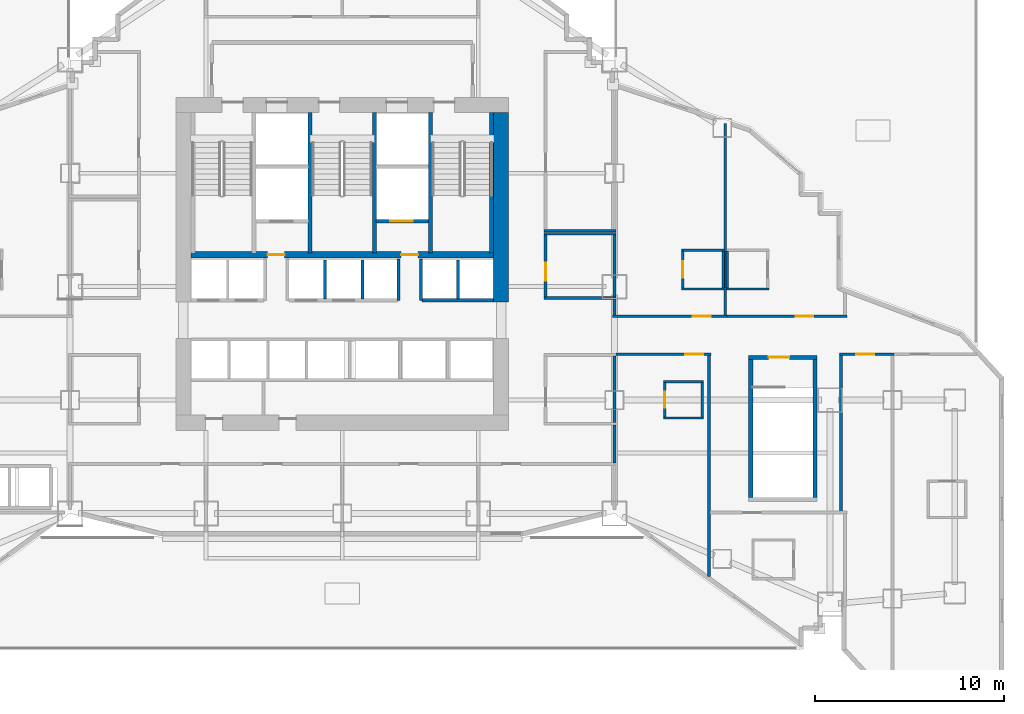
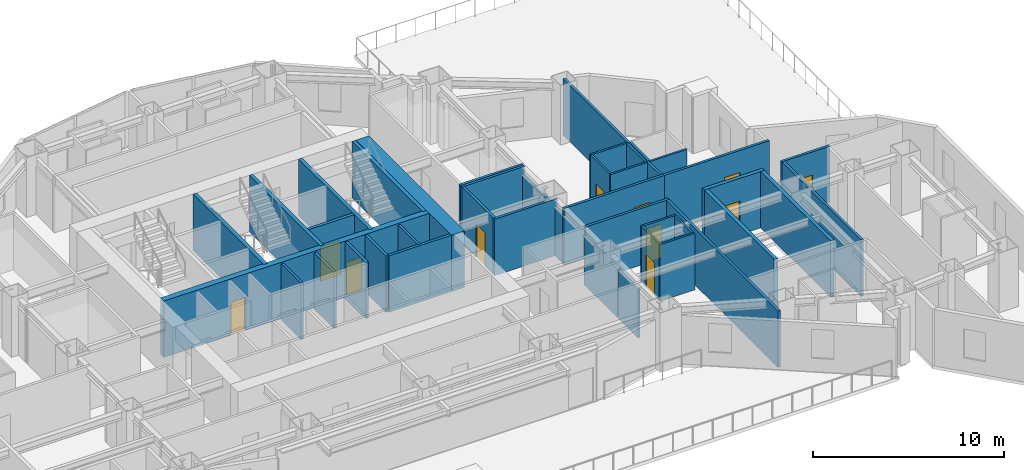
# One storey, part 10 of 20: 41 walls, 11 doors, 11 openings.
"""IFC4 building model written with IfcOpenShell, lengths in metres."""

from ifc_helpers import new_model, si_unit, direction, frame, frame_2d, origin, place, context, subcontext, project, spatial, rectangle, extrude, material, layer, layer_set, type_object, element, fill, save


model = new_model("IFC4")

# Units and contexts
model_context = context("Model", 3, precision=1e-05, world=origin(), true_north=direction((0.0, 1.0)))
body_context = subcontext(model_context, "Body", "Model", "MODEL_VIEW")
ifc_project = project(units=[si_unit("LENGTHUNIT", "METRE"), si_unit("AREAUNIT", "SQUARE_METRE"), si_unit("VOLUMEUNIT", "CUBIC_METRE"), si_unit("PLANEANGLEUNIT", "RADIAN"), si_unit("MASSUNIT", "GRAM", prefix="KILO")], contexts=[model_context])

# Site, building, storey
site_placement = place(None, origin())
site = spatial("IfcSite", under=ifc_project, at=site_placement, CompositionType="ELEMENT")
building_placement = place(site_placement, origin())
building = spatial("IfcBuilding", under=site, at=building_placement, Name="Haolan Belvedere Tower", CompositionType="ELEMENT")
storey_placement = place(building_placement, frame((0.0, 0.0, 24.0)))
storey = spatial("IfcBuildingStorey", under=building, at=storey_placement, Name="L05", CompositionType="ELEMENT", Elevation=24.0)

# Walls
ifc_material_1 = material(Name="Concrete C70/85", Category="concrete")
ifc_layer_1 = layer(ifc_material_1, 0.800048828125, Name="Concrete C70/85")
ifc_layer_set_1 = layer_set([ifc_layer_1], Name="Concrete C70/85")
wall_type_1 = type_object("IfcWallType", Name="WL-CORE-800", PredefinedType="SHEAR", material=ifc_layer_set_1)
wall_1_placement = place(storey_placement, frame((46.800048828125, 32.800048828125, 0.0), z_axis=(0.0, 0.0, 1.0), x_axis=(0.0, 1.0, 0.0)))
element("IfcWall", 1, at=wall_1_placement, inside=storey, type_object=wall_type_1, Name="L05 central core shear wall EN", PredefinedType="SHEAR", context=body_context, shape_type="SweptSolid", body=[
    extrude(rectangle(XDim=10.0, YDim=0.800048828125, at=frame_2d((5.0, 0.0))), origin(), (0.0, 0.0, 1.0), 3.60009765625),
])
ifc_material_2 = material(Name="Double gypsum acoustic stud partition", Category="masonry")
ifc_layer_2 = layer(ifc_material_2, 0.14990234375, Name="Double gypsum acoustic stud partition")
ifc_layer_set_2 = layer_set([ifc_layer_2], Name="Double gypsum acoustic stud partition")
wall_type_2 = type_object("IfcWallType", Name="WL-PART-150", PredefinedType="PARTITIONING", material=ifc_layer_set_2)
for number, where, z_axis, x_axis, name in (
    (2, (49.080078125, 36.39990234375, 0.0), (0.0, 0.0, 1.0), (1.0, 0.0, 0.0), "L05 interior partition IW-L05-AWC-N"),
    (3, (49.080078125, 33.0, 0.0), (0.0, 0.0, 1.0), (1.0, 0.0, 0.0), "L05 interior partition IW-L05-AWC-S"),
):
    element("IfcWall", number, at=place(storey_placement, frame(where, z_axis=z_axis, x_axis=x_axis)), inside=storey, type_object=wall_type_2, Name=name, PredefinedType="PARTITIONING", context=body_context, shape_type="SweptSolid", body=[
        extrude(rectangle(XDim=3.7998046875, YDim=0.14990234375, at=frame_2d((1.89990234375, 0.0))), origin(), (0.0, 0.0, 1.0), 3.60009765625),
    ])

# Wall, opening, door
wall_2_placement = place(storey_placement, frame((49.159912109375, 33.06005859375, 0.0), z_axis=(0.0, 0.0, 1.0), x_axis=(0.0, 1.0, 0.0)))
wall_2 = element("IfcWall", 4, at=wall_2_placement, inside=storey, type_object=wall_type_2, Name="L05 interior partition IW-L05-AWC-W", PredefinedType="PARTITIONING", context=body_context, shape_type="SweptSolid", body=[
    extrude(rectangle(XDim=3.280029296875, YDim=0.14990234375, at=frame_2d((1.64013671875, 0.0))), origin(), (0.0, 0.0, 1.0), 3.60009765625),
])
opening_1_placement = place(wall_2_placement, frame((0.860107421875, 0.0, 0.0)))
opening_1 = element("IfcOpeningElement", 5, at=opening_1_placement, cuts=wall_2, Name="Opening ID-03", PredefinedType="OPENING", context=body_context, shape_type="SweptSolid", body=[
    extrude(rectangle(XDim=0.949951171875, YDim=2.1201171875, at=frame_2d((0.47509765625, 1.06005859375))), frame((0.0, 0.0849609375, 0.0), z_axis=(0.0, -1.0, 0.0), x_axis=(1.0, 0.0, 0.0)), (0.0, 0.0, 1.0), 0.169921875),
])
ifc_material_3 = material(Name="Painted solid-core timber", Category="wood")
door_type_1 = type_object("IfcDoorType", Name="DR-INT-950", OperationType="NOTDEFINED", PredefinedType="DOOR", material=ifc_material_3)
door_1_placement = place(opening_1_placement, origin())
door_1 = element("IfcDoor", 6, at=door_1_placement, inside=storey, type_object=door_type_1, Name="L05 door ID-L05-AWC", OperationType="SINGLE_SWING_RIGHT", OverallHeight=2.1201171875, OverallWidth=0.949951171875, PredefinedType="DOOR", context=body_context, shape_type="SweptSolid", body=[
    extrude(rectangle(XDim=0.949951171875, YDim=2.1201171875, at=frame_2d((0.47509765625, 1.06005859375))), frame((0.0, 0.02490234375, 0.0), z_axis=(0.0, -1.0, 0.0), x_axis=(1.0, 0.0, 0.0)), (0.0, 0.0, 1.0), 0.050048828125),
])
fill(opening_1, door_1)

# Walls
wall_3_placement = place(storey_placement, frame((52.800048828125, 33.06005859375, 0.0), z_axis=(0.0, 0.0, 1.0), x_axis=(0.0, 1.0, 0.0)))
element("IfcWall", 7, at=wall_3_placement, inside=storey, type_object=wall_type_2, Name="L05 interior partition IW-L05-AWC-E", PredefinedType="PARTITIONING", context=body_context, shape_type="SweptSolid", body=[
    extrude(rectangle(XDim=3.280029296875, YDim=0.14990234375, at=frame_2d((1.64013671875, 0.0))), origin(), (0.0, 0.0, 1.0), 3.096923828125),
])
wall_4_placement = place(storey_placement, frame((49.080078125, 36.56005859375, 0.0), z_axis=(0.0, 0.0, 1.0), x_axis=(1.0, 0.0, 0.0)))
element("IfcWall", 8, at=wall_4_placement, inside=storey, type_object=wall_type_2, Name="L05 interior partition IW-L05-SAL-S", PredefinedType="PARTITIONING", context=body_context, shape_type="SweptSolid", body=[
    extrude(rectangle(XDim=3.7998046875, YDim=0.14990234375, at=frame_2d((1.89990234375, 0.0))), origin(), (0.0, 0.0, 1.0), 3.60009765625),
])
wall_5_placement = place(storey_placement, frame((52.800048828125, 26.409912109375, 0.0), z_axis=(0.0, 0.0, 1.0), x_axis=(0.0, 1.0, 0.0)))
element("IfcWall", 9, at=wall_5_placement, inside=storey, type_object=wall_type_2, Name="L05 interior partition IW-L05-PKTE-E", PredefinedType="PARTITIONING", context=body_context, shape_type="SweptSolid", body=[
    extrude(rectangle(XDim=3.510009765625, YDim=0.14990234375, at=frame_2d((1.7548828125, 0.0))), origin(), (0.0, 0.0, 1.0), 3.096923828125),
])

# Wall, opening, door
wall_6_placement = place(storey_placement, frame((52.699951171875, 32.030029296875, 0.0), z_axis=(0.0, 0.0, 1.0), x_axis=(1.0, 0.0, 0.0)))
wall_6 = element("IfcWall", 10, at=wall_6_placement, inside=storey, type_object=wall_type_2, Name="L05 interior partition IW-L05-T4N1-S", PredefinedType="PARTITIONING", context=body_context, shape_type="SweptSolid", body=[
    extrude(rectangle(XDim=6.06005859375, YDim=0.14990234375, at=frame_2d((3.030029296875, 0.0))), origin(), (0.0, 0.0, 1.0), 3.60009765625),
])
opening_2_placement = place(wall_6_placement, frame((4.25146484375, 0.0, 0.0)))
opening_2 = element("IfcOpeningElement", 11, at=opening_2_placement, cuts=wall_6, Name="Opening ID-01", PredefinedType="OPENING", context=body_context, shape_type="SweptSolid", body=[
    extrude(rectangle(XDim=0.949951171875, YDim=2.179931640625, at=frame_2d((0.47509765625, 1.08984375))), frame((0.0, 0.0849609375, 0.0), z_axis=(0.0, -1.0, 0.0), x_axis=(1.0, 0.0, 0.0)), (0.0, 0.0, 1.0), 0.169921875),
])
ifc_material_4 = material(Name="Acoustic walnut veneer fire-rated timber", Category="wood")
door_type_2 = type_object("IfcDoorType", Name="DR-SUITE-950", OperationType="NOTDEFINED", PredefinedType="DOOR", material=ifc_material_4)
door_2_placement = place(opening_2_placement, origin())
door_2 = element("IfcDoor", 12, at=door_2_placement, inside=storey, type_object=door_type_2, Name="L05 door ID-L05-T4N1-ENT", OperationType="SINGLE_SWING_LEFT", OverallHeight=2.179931640625, OverallWidth=0.949951171875, PredefinedType="DOOR", context=body_context, shape_type="SweptSolid", body=[
    extrude(rectangle(XDim=0.949951171875, YDim=2.179931640625, at=frame_2d((0.47509765625, 1.08984375))), frame((0.0, 0.02490234375, 0.0), z_axis=(0.0, -1.0, 0.0), x_axis=(1.0, 0.0, 0.0)), (0.0, 0.0, 1.0), 0.050048828125),
])
fill(opening_2, door_2)

# Walls
wall_7_placement = place(storey_placement, frame((52.800048828125, 32.090087890625, 0.0), z_axis=(0.0, 0.0, 1.0), x_axis=(0.0, 1.0, 0.0)))
element("IfcWall", 13, at=wall_7_placement, inside=storey, type_object=wall_type_2, Name="L05 interior partition IW-L05-T4N1-W", PredefinedType="PARTITIONING", context=body_context, shape_type="SweptSolid", body=[
    extrude(rectangle(XDim=0.849853515625, YDim=0.14990234375, at=frame_2d((0.4248046875, 0.0))), origin(), (0.0, 0.0, 1.0), 3.096923828125),
])
wall_8_placement = place(storey_placement, frame((58.659912109375, 32.090087890625, 0.0), z_axis=(0.0, 0.0, 1.0), x_axis=(0.0, 1.0, 0.0)))
element("IfcWall", 14, at=wall_8_placement, inside=storey, type_object=wall_type_2, Name="L05 interior partition IW-L05-T4N1-E", PredefinedType="PARTITIONING", context=body_context, shape_type="SweptSolid", body=[
    extrude(rectangle(XDim=10.133056640625, YDim=0.14990234375, at=frame_2d((5.06640625, 0.0))), origin(), (0.0, 0.0, 1.0), 3.60009765625),
])

# Wall, opening, door
wall_9_placement = place(storey_placement, frame((58.761962890625, 32.030029296875, 0.0), z_axis=(0.0, 0.0, 1.0), x_axis=(1.0, 0.0, 0.0)))
wall_9 = element("IfcWall", 15, at=wall_9_placement, inside=storey, type_object=wall_type_2, Name="L05 interior partition IW-L05-T4N2-S", PredefinedType="PARTITIONING", context=body_context, shape_type="SweptSolid", body=[
    extrude(rectangle(XDim=6.338134765625, YDim=0.14990234375, at=frame_2d((3.1689453125, 0.0))), origin(), (0.0, 0.0, 1.0), 3.60009765625),
])
opening_3_placement = place(wall_9_placement, frame((3.6162109375, 0.0, 0.0)))
opening_3 = element("IfcOpeningElement", 16, at=opening_3_placement, cuts=wall_9, Name="Opening ID-01", PredefinedType="OPENING", context=body_context, shape_type="SweptSolid", body=[
    extrude(rectangle(XDim=0.949951171875, YDim=2.179931640625, at=frame_2d((0.47509765625, 1.08984375))), frame((0.0, 0.0849609375, 0.0), z_axis=(0.0, -1.0, 0.0), x_axis=(1.0, 0.0, 0.0)), (0.0, 0.0, 1.0), 0.169921875),
])
door_3_placement = place(opening_3_placement, origin())
door_3 = element("IfcDoor", 17, at=door_3_placement, inside=storey, type_object=door_type_2, Name="L05 door ID-L05-T4N2-ENT", OperationType="SINGLE_SWING_RIGHT", OverallHeight=2.179931640625, OverallWidth=0.949951171875, PredefinedType="DOOR", context=body_context, shape_type="SweptSolid", body=[
    extrude(rectangle(XDim=0.949951171875, YDim=2.179931640625, at=frame_2d((0.47509765625, 1.08984375))), frame((0.0, 0.02490234375, 0.0), z_axis=(0.0, -1.0, 0.0), x_axis=(1.0, 0.0, 0.0)), (0.0, 0.0, 1.0), 0.050048828125),
])
fill(opening_3, door_3)

wall_10_placement = place(storey_placement, frame((52.882080078125, 30.02001953125, 0.0), z_axis=(0.0, 0.0, 1.0), x_axis=(1.0, 0.0, 0.0)))
wall_10 = element("IfcWall", 18, at=wall_10_placement, inside=storey, type_object=wall_type_2, Name="L05 interior partition IW-L05-T4S1-N", PredefinedType="PARTITIONING", context=body_context, shape_type="SweptSolid", body=[
    extrude(rectangle(XDim=5.017822265625, YDim=0.14990234375, at=frame_2d((2.5087890625, 0.0))), origin(), (0.0, 0.0, 1.0), 3.60009765625),
])
opening_4_placement = place(wall_10_placement, frame((4.609130859375, 0.0, 0.0), z_axis=(0.0, 0.0, 1.0), x_axis=(-1.0, 0.0, 0.0)))
opening_4 = element("IfcOpeningElement", 19, at=opening_4_placement, cuts=wall_10, Name="Opening ID-02", PredefinedType="OPENING", context=body_context, shape_type="SweptSolid", body=[
    extrude(rectangle(XDim=0.949951171875, YDim=2.14990234375, at=frame_2d((0.47509765625, 1.074951171875))), frame((0.0, 0.0849609375, 0.0), z_axis=(0.0, -1.0, 0.0), x_axis=(1.0, 0.0, 0.0)), (0.0, 0.0, 1.0), 0.169921875),
])
ifc_material_5 = material(Name="Acoustic oak veneer fire-rated timber", Category="wood")
door_type_3 = type_object("IfcDoorType", Name="DR-GUEST-950", OperationType="NOTDEFINED", PredefinedType="DOOR", material=ifc_material_5)
door_4_placement = place(opening_4_placement, origin())
door_4 = element("IfcDoor", 20, at=door_4_placement, inside=storey, type_object=door_type_3, Name="L05 door ID-L05-T4S1-ENT", OperationType="SINGLE_SWING_LEFT", OverallHeight=2.14990234375, OverallWidth=0.949951171875, PredefinedType="DOOR", context=body_context, shape_type="SweptSolid", body=[
    extrude(rectangle(XDim=0.949951171875, YDim=2.14990234375, at=frame_2d((0.47509765625, 1.074951171875))), frame((0.0, 0.02490234375, 0.0), z_axis=(0.0, -1.0, 0.0), x_axis=(1.0, 0.0, 0.0)), (0.0, 0.0, 1.0), 0.050048828125),
])
fill(opening_4, door_4)

# Walls
wall_11_placement = place(storey_placement, frame((52.800048828125, 24.280029296875, 0.0), z_axis=(0.0, 0.0, 1.0), x_axis=(0.0, 1.0, 0.0)))
element("IfcWall", 21, at=wall_11_placement, inside=storey, type_object=wall_type_2, Name="L05 interior partition IW-L05-T4S1-W", PredefinedType="PARTITIONING", context=body_context, shape_type="SweptSolid", body=[
    extrude(rectangle(XDim=2.010009765625, YDim=0.14990234375, at=frame_2d((1.0048828125, 0.0))), origin(), (0.0, 0.0, 1.0), 3.096923828125),
])
wall_12_placement = place(storey_placement, frame((57.800048828125, 18.27734375, 0.0), z_axis=(0.0, 0.0, 1.0), x_axis=(0.0, 1.0, 0.0)))
element("IfcWall", 22, at=wall_12_placement, inside=storey, type_object=wall_type_2, Name="L05 interior partition IW-L05-T4S1-E", PredefinedType="PARTITIONING", context=body_context, shape_type="SweptSolid", body=[
    extrude(rectangle(XDim=11.6826171875, YDim=0.14990234375, at=frame_2d((5.84130859375, 0.0))), origin(), (0.0, 0.0, 1.0), 3.60009765625),
])

# Wall, opening, door
wall_13_placement = place(storey_placement, frame((64.699951171875, 30.02001953125, 0.0), z_axis=(0.0, 0.0, 1.0), x_axis=(1.0, 0.0, 0.0)))
wall_13 = element("IfcWall", 23, at=wall_13_placement, inside=storey, type_object=wall_type_2, Name="L05 interior partition IW-L05-T5S1-N", PredefinedType="PARTITIONING", context=body_context, shape_type="SweptSolid", body=[
    extrude(rectangle(XDim=2.880126953125, YDim=0.14990234375, at=frame_2d((1.43994140625, 0.0))), origin(), (0.0, 0.0, 1.0), 3.60009765625),
])
opening_5_placement = place(wall_13_placement, frame((1.8349609375, 0.0, 0.0), z_axis=(0.0, 0.0, 1.0), x_axis=(-1.0, 0.0, 0.0)))
opening_5 = element("IfcOpeningElement", 24, at=opening_5_placement, cuts=wall_13, Name="Opening ID-03", PredefinedType="OPENING", context=body_context, shape_type="SweptSolid", body=[
    extrude(rectangle(XDim=0.949951171875, YDim=2.1201171875, at=frame_2d((0.47509765625, 1.06005859375))), frame((0.0, 0.0849609375, 0.0), z_axis=(0.0, -1.0, 0.0), x_axis=(1.0, 0.0, 0.0)), (0.0, 0.0, 1.0), 0.169921875),
])
door_5_placement = place(opening_5_placement, origin())
door_5 = element("IfcDoor", 25, at=door_5_placement, inside=storey, type_object=door_type_1, Name="L05 door ID-L05-T5S1", OperationType="SINGLE_SWING_RIGHT", OverallHeight=2.1201171875, OverallWidth=0.949951171875, PredefinedType="DOOR", context=body_context, shape_type="SweptSolid", body=[
    extrude(rectangle(XDim=0.949951171875, YDim=2.1201171875, at=frame_2d((0.47509765625, 1.06005859375))), frame((0.0, 0.02490234375, 0.0), z_axis=(0.0, -1.0, 0.0), x_axis=(1.0, 0.0, 0.0)), (0.0, 0.0, 1.0), 0.050048828125),
])
fill(opening_5, door_5)

# Walls
wall_14_placement = place(storey_placement, frame((64.780029296875, 21.7099609375, 0.0), z_axis=(0.0, 0.0, 1.0), x_axis=(0.0, 1.0, 0.0)))
element("IfcWall", 26, at=wall_14_placement, inside=storey, type_object=wall_type_2, Name="L05 interior partition IW-L05-T5S1-W", PredefinedType="PARTITIONING", context=body_context, shape_type="SweptSolid", body=[
    extrude(rectangle(XDim=8.25, YDim=0.14990234375, at=frame_2d((4.125, 0.0))), origin(), (0.0, 0.0, 1.0), 3.60009765625),
])
ifc_material_6 = material(Name="Gypsum fire shaftwall assembly", Category="masonry")
ifc_layer_3 = layer(ifc_material_6, 0.1650390625, Name="Gypsum fire shaftwall assembly")
ifc_layer_set_3 = layer_set([ifc_layer_3], Name="Gypsum fire shaftwall assembly")
wall_type_3 = type_object("IfcWallType", Name="WL-SHAFT-160", PredefinedType="SOLIDWALL", material=ifc_layer_set_3)
for number, where, z_axis, x_axis, name in (
    (27, (41.3701171875, 32.8798828125, 0.0), (0.0, 0.0, 1.0), (0.0, 1.0, 0.0), "L05 interior partition IW-L05-SVP-W-SV2"),
    (28, (42.570068359375, 32.8798828125, 0.0), (0.0, 0.0, 1.0), (0.0, 1.0, 0.0), "L05 interior partition IW-L05-SVP-E-SV2"),
):
    element("IfcWall", number, at=place(storey_placement, frame(where, z_axis=z_axis, x_axis=x_axis)), inside=storey, type_object=wall_type_3, Name=name, PredefinedType="SOLIDWALL", context=body_context, shape_type="SweptSolid", body=[
        extrude(rectangle(XDim=2.170166015625, YDim=0.14990234375, at=frame_2d((1.0849609375, 0.0))), origin(), (0.0, 0.0, 1.0), 3.60009765625),
    ])
wall_15_placement = place(storey_placement, frame((42.6298828125, 32.8798828125, 0.0), z_axis=(0.0, 0.0, 1.0), x_axis=(1.0, 0.0, 0.0)))
element("IfcWall", 29, at=wall_15_placement, inside=storey, type_object=wall_type_3, Name="L05 interior partition IW-L05-ROW-PN3", PredefinedType="SOLIDWALL", context=body_context, shape_type="SweptSolid", body=[
    extrude(rectangle(XDim=3.77001953125, YDim=0.159912109375, at=frame_2d((1.885009765625, 0.0))), origin(), (0.0, 0.0, 1.0), 3.60009765625),
])
for number, where, z_axis, x_axis, name in (
    (30, (37.47998046875, 32.949951171875, 0.0), (0.0, 0.0, 1.0), (0.0, 1.0, 0.0), "L05 interior partition IW-L05-DIV-PL3"),
    (31, (39.469970703125, 32.949951171875, 0.0), (0.0, 0.0, 1.0), (0.0, 1.0, 0.0), "L05 interior partition IW-L05-DIV-PL4"),
    (32, (44.530029296875, 32.949951171875, 0.0), (0.0, 0.0, 1.0), (0.0, 1.0, 0.0), "L05 interior partition IW-L05-DIV-PH2"),
):
    element("IfcWall", number, at=place(storey_placement, frame(where, z_axis=z_axis, x_axis=x_axis)), inside=storey, type_object=wall_type_3, Name=name, PredefinedType="SOLIDWALL", context=body_context, shape_type="SweptSolid", body=[
        extrude(rectangle(XDim=2.050048828125, YDim=0.14990234375, at=frame_2d((1.02490234375, 0.0))), origin(), (0.0, 0.0, 1.0), 3.60009765625),
    ])

# Wall, opening, door
ifc_material_7 = material(Name="Precast concrete C40/50", Category="concrete")
ifc_layer_4 = layer(ifc_material_7, 0.179931640625, Name="Precast concrete C40/50")
ifc_layer_set_4 = layer_set([ifc_layer_4], Name="Precast concrete C40/50")
wall_type_4 = type_object("IfcWallType", Name="WL-SHAFT-180", PredefinedType="SOLIDWALL", material=ifc_layer_set_4)
wall_16_placement = place(storey_placement, frame((40.195068359375, 37.050048828125, 0.0), z_axis=(0.0, 0.0, 1.0), x_axis=(1.0, 0.0, 0.0)))
wall_16 = element("IfcWall", 33, at=wall_16_placement, inside=storey, type_object=wall_type_4, Name="L05 interior partition IW-L05-SV2-S", PredefinedType="SOLIDWALL", context=body_context, shape_type="SweptSolid", body=[
    extrude(rectangle(XDim=2.77001953125, YDim=0.179931640625, at=frame_2d((1.385009765625, 0.0))), origin(), (0.0, 0.0, 1.0), 3.60009765625),
])
opening_6_placement = place(wall_16_placement, frame((1.945068359375, 0.0, 0.0), z_axis=(0.0, 0.0, 1.0), x_axis=(-1.0, 0.0, 0.0)))
opening_6 = element("IfcOpeningElement", 34, at=opening_6_placement, cuts=wall_16, Name="Opening LD-02", PredefinedType="OPENING", context=body_context, shape_type="SweptSolid", body=[
    extrude(rectangle(XDim=1.199951171875, YDim=2.199951171875, at=frame_2d((0.60009765625, 1.10009765625))), frame((0.0, 0.099853515625, 0.0), z_axis=(0.0, -1.0, 0.0), x_axis=(1.0, 0.0, 0.0)), (0.0, 0.0, 1.0), 0.199951171875),
])
ifc_material_8 = material(Name="Brushed champagne stainless steel 316L", Category="steel")
door_type_4 = type_object("IfcDoorType", Name="DR-LIFT-1200", OperationType="SLIDING_TO_RIGHT", PredefinedType="DOOR", material=ifc_material_8)
door_6_placement = place(opening_6_placement, origin())
door_6 = element("IfcDoor", 35, at=door_6_placement, inside=storey, type_object=door_type_4, Name="L05 door ID-L05-LD-SV2", OperationType="SLIDING_TO_RIGHT", OverallHeight=2.199951171875, OverallWidth=1.199951171875, PredefinedType="DOOR", context=body_context, shape_type="SweptSolid", body=[
    extrude(rectangle(XDim=1.199951171875, YDim=2.199951171875, at=frame_2d((0.60009765625, 1.10009765625))), frame((0.0, 0.02490234375, 0.0), z_axis=(0.0, -1.0, 0.0), x_axis=(1.0, 0.0, 0.0)), (0.0, 0.0, 1.0), 0.050048828125),
])
fill(opening_6, door_6)

# Walls
ifc_material_9 = material(Name="Concrete C50/60", Category="concrete")
ifc_layer_5 = layer(ifc_material_9, 0.219970703125, Name="Concrete C50/60")
ifc_layer_set_5 = layer_set([ifc_layer_5], Name="Concrete C50/60")
wall_type_5 = type_object("IfcWallType", Name="WL-STAIR-220", PredefinedType="SHEAR", material=ifc_layer_set_5)
for number, where, z_axis, x_axis, name in (
    (36, (36.699951171875, 35.389892578125, 0.0), (0.0, 0.0, 1.0), (0.0, 1.0, 0.0), "L05 structural stair core wall ST3W"),
    (37, (40.10009765625, 35.389892578125, 0.0), (0.0, 0.0, 1.0), (0.0, 1.0, 0.0), "L05 structural stair core wall ST3E"),
    (38, (43.06005859375, 35.389892578125, 0.0), (0.0, 0.0, 1.0), (0.0, 1.0, 0.0), "L05 structural stair core wall ST2W"),
    (39, (46.2880859375, 35.389892578125, 0.0), (0.0, 0.0, 1.0), (0.0, 1.0, 0.0), "L05 structural stair core wall ST2E"),
):
    element("IfcWall", number, at=place(storey_placement, frame(where, z_axis=z_axis, x_axis=x_axis)), inside=storey, type_object=wall_type_5, Name=name, PredefinedType="SHEAR", context=body_context, shape_type="SweptSolid", body=[
        extrude(rectangle(XDim=7.41015625, YDim=0.219970703125, at=frame_2d((3.705078125, 0.0))), origin(), (0.0, 0.0, 1.0), 3.60009765625),
    ])

# Wall, opening, door
wall_17_placement = place(storey_placement, frame((59.89990234375, 29.860107421875, 0.0), z_axis=(0.0, 0.0, 1.0), x_axis=(1.0, 0.0, 0.0)))
wall_17 = element("IfcWall", 40, at=wall_17_placement, inside=storey, type_object=wall_type_5, Name="L05 podium stair ST5 structural shaft wall N", PredefinedType="SHEAR", context=body_context, shape_type="SweptSolid", body=[
    extrude(rectangle(XDim=3.6201171875, YDim=0.219970703125, at=frame_2d((1.81005859375, 0.0))), origin(), (0.0, 0.0, 1.0), 3.60009765625),
])
opening_7_placement = place(wall_17_placement, frame((1.050048828125, 0.0, 0.0)))
opening_7 = element("IfcOpeningElement", 41, at=opening_7_placement, cuts=wall_17, Name="Opening FD-03", PredefinedType="OPENING", context=body_context, shape_type="SweptSolid", body=[
    extrude(rectangle(XDim=1.10009765625, YDim=2.14990234375, at=frame_2d((0.550048828125, 1.074951171875))), frame((0.0, 0.119873046875, 0.0), z_axis=(0.0, -1.0, 0.0), x_axis=(1.0, 0.0, 0.0)), (0.0, 0.0, 1.0), 0.239990234375),
])
ifc_material_10 = material(Name="Galvanised fire-rated steel", Category="steel")
door_type_5 = type_object("IfcDoorType", Name="DR-FD90-1100", OperationType="NOTDEFINED", PredefinedType="DOOR", material=ifc_material_10)
door_7_placement = place(opening_7_placement, origin())
door_7 = element("IfcDoor", 42, at=door_7_placement, inside=storey, type_object=door_type_5, Name="L05 door ID-L05-D-ST5", OperationType="SINGLE_SWING_RIGHT", OverallHeight=2.14990234375, OverallWidth=1.10009765625, PredefinedType="DOOR", context=body_context, shape_type="SweptSolid", body=[
    extrude(rectangle(XDim=1.10009765625, YDim=2.14990234375, at=frame_2d((0.550048828125, 1.074951171875))), frame((0.0, 0.02490234375, 0.0), z_axis=(0.0, -1.0, 0.0), x_axis=(1.0, 0.0, 0.0)), (0.0, 0.0, 1.0), 0.050048828125),
])
fill(opening_7, door_7)

# Walls
for number, where, z_axis, x_axis, name in (
    (43, (60.010009765625, 22.449951171875, 0.0), (0.0, 0.0, 1.0), (0.0, 1.0, 0.0), "L05 podium stair ST5 structural shaft wall W"),
    (44, (63.409912109375, 22.449951171875, 0.0), (0.0, 0.0, 1.0), (0.0, 1.0, 0.0), "L05 podium stair ST5 structural shaft wall E"),
):
    element("IfcWall", number, at=place(storey_placement, frame(where, z_axis=z_axis, x_axis=x_axis)), inside=storey, type_object=wall_type_5, Name=name, PredefinedType="SHEAR", context=body_context, shape_type="SweptSolid", body=[
        extrude(rectangle(XDim=7.300048828125, YDim=0.219970703125, at=frame_2d((3.64990234375, 0.0))), origin(), (0.0, 0.0, 1.0), 3.60009765625),
    ])

# Wall, openings, doors
ifc_material_11 = material(Name="Concrete C60/75", Category="concrete")
ifc_layer_6 = layer(ifc_material_11, 0.360107421875, Name="Concrete C60/75")
ifc_layer_set_6 = layer_set([ifc_layer_6], Name="Concrete C60/75")
wall_type_6 = type_object("IfcWallType", Name="WL-WEB-350", PredefinedType="SHEAR", material=ifc_layer_set_6)
wall_18_placement = place(storey_placement, frame((30.39990234375, 35.2900390625, 0.0), z_axis=(0.0, 0.0, 1.0), x_axis=(1.0, 0.0, 0.0)))
wall_18 = element("IfcWall", 45, at=wall_18_placement, inside=storey, type_object=wall_type_6, Name="L05 central core internal shear web", PredefinedType="SHEAR", context=body_context, shape_type="SweptSolid", body=[
    extrude(rectangle(XDim=16.0, YDim=0.360107421875, at=frame_2d((8.0, 0.0))), origin(), (0.0, 0.0, 1.0), 3.60009765625),
])
opening_8_placement = place(wall_18_placement, frame((4.949951171875, 0.0, 0.0), z_axis=(0.0, 0.0, 1.0), x_axis=(-1.0, 0.0, 0.0)))
opening_8 = element("IfcOpeningElement", 46, at=opening_8_placement, cuts=wall_18, Name="Opening FD-05", PredefinedType="OPENING", context=body_context, shape_type="SweptSolid", body=[
    extrude(rectangle(XDim=0.89990234375, YDim=2.10009765625, at=frame_2d((0.449951171875, 1.050048828125))), frame((0.0, 0.18994140625, 0.0), z_axis=(0.0, -1.0, 0.0), x_axis=(1.0, 0.0, 0.0)), (0.0, 0.0, 1.0), 0.380126953125),
])
opening_9_placement = place(wall_18_placement, frame((12.010009765625, 0.0, 0.0), z_axis=(0.0, 0.0, 1.0), x_axis=(-1.0, 0.0, 0.0)))
opening_9 = element("IfcOpeningElement", 47, at=opening_9_placement, cuts=wall_18, Name="Opening FD-05", PredefinedType="OPENING", context=body_context, shape_type="SweptSolid", body=[
    extrude(rectangle(XDim=0.89990234375, YDim=2.10009765625, at=frame_2d((0.449951171875, 1.050048828125))), frame((0.0, 0.18994140625, 0.0), z_axis=(0.0, -1.0, 0.0), x_axis=(1.0, 0.0, 0.0)), (0.0, 0.0, 1.0), 0.380126953125),
])
door_type_6 = type_object("IfcDoorType", Name="DR-FD60-900", OperationType="NOTDEFINED", PredefinedType="DOOR", material=ifc_material_10)
door_8_placement = place(opening_8_placement, origin())
door_8 = element("IfcDoor", 48, at=door_8_placement, inside=storey, type_object=door_type_6, Name="L05 door CD-L05-SVL-SV1", OperationType="SINGLE_SWING_RIGHT", OverallHeight=2.10009765625, OverallWidth=0.89990234375, PredefinedType="DOOR", context=body_context, shape_type="SweptSolid", body=[
    extrude(rectangle(XDim=0.89990234375, YDim=2.10009765625, at=frame_2d((0.449951171875, 1.050048828125))), frame((0.0, 0.02490234375, 0.0), z_axis=(0.0, -1.0, 0.0), x_axis=(1.0, 0.0, 0.0)), (0.0, 0.0, 1.0), 0.050048828125),
])
fill(opening_8, door_8)
door_9_placement = place(opening_9_placement, origin())
door_9 = element("IfcDoor", 49, at=door_9_placement, inside=storey, type_object=door_type_6, Name="L05 door CD-L05-SVL-SV2", OperationType="SINGLE_SWING_RIGHT", OverallHeight=2.10009765625, OverallWidth=0.89990234375, PredefinedType="DOOR", context=body_context, shape_type="SweptSolid", body=[
    extrude(rectangle(XDim=0.89990234375, YDim=2.10009765625, at=frame_2d((0.449951171875, 1.050048828125))), frame((0.0, 0.02490234375, 0.0), z_axis=(0.0, -1.0, 0.0), x_axis=(1.0, 0.0, 0.0)), (0.0, 0.0, 1.0), 0.050048828125),
])
fill(opening_9, door_9)

# Walls
ifc_material_12 = material(Name="Moisture-resistant gypsum tile partition", Category="masonry")
ifc_layer_7 = layer(ifc_material_12, 0.1201171875, Name="Moisture-resistant gypsum tile partition")
ifc_layer_set_7 = layer_set([ifc_layer_7], Name="Moisture-resistant gypsum tile partition")
wall_type_7 = type_object("IfcWallType", Name="WL-WET-120", PredefinedType="PARTITIONING", material=ifc_layer_set_7)
for number, where, z_axis, x_axis, name in (
    (50, (56.35009765625, 35.530029296875, 0.0), (0.0, 0.0, 1.0), (1.0, 0.0, 0.0), "L05 interior partition IW-L05-T4N1-BN"),
    (51, (56.35009765625, 33.47998046875, 0.0), (0.0, 0.0, 1.0), (1.0, 0.0, 0.0), "L05 interior partition IW-L05-T4N1-BS"),
):
    element("IfcWall", number, at=place(storey_placement, frame(where, z_axis=z_axis, x_axis=x_axis)), inside=storey, type_object=wall_type_7, Name=name, PredefinedType="PARTITIONING", context=body_context, shape_type="SweptSolid", body=[
        extrude(rectangle(XDim=2.25, YDim=0.1201171875, at=frame_2d((1.125, 0.0))), origin(), (0.0, 0.0, 1.0), 3.60009765625),
    ])

# Wall, opening, door
wall_19_placement = place(storey_placement, frame((56.409912109375, 33.52490234375, 0.0), z_axis=(0.0, 0.0, 1.0), x_axis=(0.0, 1.0, 0.0)))
wall_19 = element("IfcWall", 52, at=wall_19_placement, inside=storey, type_object=wall_type_7, Name="L05 interior partition IW-L05-T4N1-BW", PredefinedType="PARTITIONING", context=body_context, shape_type="SweptSolid", body=[
    extrude(rectangle(XDim=1.960205078125, YDim=0.1201171875, at=frame_2d((0.97998046875, 0.0))), origin(), (0.0, 0.0, 1.0), 3.60009765625),
])
opening_10_placement = place(wall_19_placement, frame((1.405029296875, 0.0, 0.0), z_axis=(0.0, 0.0, 1.0), x_axis=(-1.0, 0.0, 0.0)))
opening_10 = element("IfcOpeningElement", 53, at=opening_10_placement, cuts=wall_19, Name="Opening ID-05", PredefinedType="OPENING", context=body_context, shape_type="SweptSolid", body=[
    extrude(rectangle(XDim=0.85009765625, YDim=2.10009765625, at=frame_2d((0.425048828125, 1.050048828125))), frame((0.0, 0.070068359375, 0.0), z_axis=(0.0, -1.0, 0.0), x_axis=(1.0, 0.0, 0.0)), (0.0, 0.0, 1.0), 0.14013671875),
])
ifc_material_13 = material(Name="Moisture-resistant lacquered timber", Category="wood")
door_type_7 = type_object("IfcDoorType", Name="DR-BATH-850", OperationType="NOTDEFINED", PredefinedType="DOOR", material=ifc_material_13)
door_10_placement = place(opening_10_placement, origin())
door_10 = element("IfcDoor", 54, at=door_10_placement, inside=storey, type_object=door_type_7, Name="L05 door ID-L05-T4N1-BATH", OperationType="SINGLE_SWING_RIGHT", OverallHeight=2.10009765625, OverallWidth=0.85009765625, PredefinedType="DOOR", context=body_context, shape_type="SweptSolid", body=[
    extrude(rectangle(XDim=0.85009765625, YDim=2.10009765625, at=frame_2d((0.425048828125, 1.050048828125))), frame((0.0, 0.02490234375, 0.0), z_axis=(0.0, -1.0, 0.0), x_axis=(1.0, 0.0, 0.0)), (0.0, 0.0, 1.0), 0.050048828125),
])
fill(opening_10, door_10)

# Walls
wall_20_placement = place(storey_placement, frame((58.56005859375, 33.52490234375, 0.0), z_axis=(0.0, 0.0, 1.0), x_axis=(0.0, 1.0, 0.0)))
element("IfcWall", 55, at=wall_20_placement, inside=storey, type_object=wall_type_7, Name="L05 interior partition IW-L05-T4N1-BE", PredefinedType="PARTITIONING", context=body_context, shape_type="SweptSolid", body=[
    extrude(rectangle(XDim=1.960205078125, YDim=0.1201171875, at=frame_2d((0.97998046875, 0.0))), origin(), (0.0, 0.0, 1.0), 3.60009765625),
])
wall_21_placement = place(storey_placement, frame((58.719970703125, 33.47998046875, 0.0), z_axis=(0.0, 0.0, 1.0), x_axis=(1.0, 0.0, 0.0)))
element("IfcWall", 56, at=wall_21_placement, inside=storey, type_object=wall_type_7, Name="L05 interior partition IW-L05-T4N2-BS", PredefinedType="PARTITIONING", context=body_context, shape_type="SweptSolid", body=[
    extrude(rectangle(XDim=2.25, YDim=0.1201171875, at=frame_2d((1.125, 0.0))), origin(), (0.0, 0.0, 1.0), 3.60009765625),
])
wall_22_placement = place(storey_placement, frame((58.760009765625, 33.52490234375, 0.0), z_axis=(0.0, 0.0, 1.0), x_axis=(0.0, 1.0, 0.0)))
element("IfcWall", 57, at=wall_22_placement, inside=storey, type_object=wall_type_7, Name="L05 interior partition IW-L05-T4N2-BW", PredefinedType="PARTITIONING", context=body_context, shape_type="SweptSolid", body=[
    extrude(rectangle(XDim=1.960205078125, YDim=0.1201171875, at=frame_2d((0.97998046875, 0.0))), origin(), (0.0, 0.0, 1.0), 3.60009765625),
])
for number, where, z_axis, x_axis, name in (
    (58, (55.39990234375, 28.570068359375, 0.0), (0.0, 0.0, 1.0), (1.0, 0.0, 0.0), "L05 interior partition IW-L05-T4S1-BN"),
    (59, (55.39990234375, 26.64990234375, 0.0), (0.0, 0.0, 1.0), (1.0, 0.0, 0.0), "L05 interior partition IW-L05-T4S1-BS"),
):
    element("IfcWall", number, at=place(storey_placement, frame(where, z_axis=z_axis, x_axis=x_axis)), inside=storey, type_object=wall_type_7, Name=name, PredefinedType="PARTITIONING", context=body_context, shape_type="SweptSolid", body=[
        extrude(rectangle(XDim=2.10009765625, YDim=0.1201171875, at=frame_2d((1.050048828125, 0.0))), origin(), (0.0, 0.0, 1.0), 3.60009765625),
    ])

# Wall, opening, door
wall_23_placement = place(storey_placement, frame((55.4599609375, 26.695068359375, 0.0), z_axis=(0.0, 0.0, 1.0), x_axis=(0.0, 1.0, 0.0)))
wall_23 = element("IfcWall", 60, at=wall_23_placement, inside=storey, type_object=wall_type_7, Name="L05 interior partition IW-L05-T4S1-BW", PredefinedType="PARTITIONING", context=body_context, shape_type="SweptSolid", body=[
    extrude(rectangle(XDim=1.829833984375, YDim=0.1201171875, at=frame_2d((0.9150390625, 0.0))), origin(), (0.0, 0.0, 1.0), 3.60009765625),
])
opening_11_placement = place(wall_23_placement, frame((1.340087890625, 0.0, 0.0), z_axis=(0.0, 0.0, 1.0), x_axis=(-1.0, 0.0, 0.0)))
opening_11 = element("IfcOpeningElement", 61, at=opening_11_placement, cuts=wall_23, Name="Opening ID-05", PredefinedType="OPENING", context=body_context, shape_type="SweptSolid", body=[
    extrude(rectangle(XDim=0.85009765625, YDim=2.10009765625, at=frame_2d((0.425048828125, 1.050048828125))), frame((0.0, 0.070068359375, 0.0), z_axis=(0.0, -1.0, 0.0), x_axis=(1.0, 0.0, 0.0)), (0.0, 0.0, 1.0), 0.14013671875),
])
door_11_placement = place(opening_11_placement, origin())
door_11 = element("IfcDoor", 62, at=door_11_placement, inside=storey, type_object=door_type_7, Name="L05 door ID-L05-T4S1-BATH", OperationType="SINGLE_SWING_RIGHT", OverallHeight=2.10009765625, OverallWidth=0.85009765625, PredefinedType="DOOR", context=body_context, shape_type="SweptSolid", body=[
    extrude(rectangle(XDim=0.85009765625, YDim=2.10009765625, at=frame_2d((0.425048828125, 1.050048828125))), frame((0.0, 0.02490234375, 0.0), z_axis=(0.0, -1.0, 0.0), x_axis=(1.0, 0.0, 0.0)), (0.0, 0.0, 1.0), 0.050048828125),
])
fill(opening_11, door_11)

# Wall
wall_24_placement = place(storey_placement, frame((57.43994140625, 26.695068359375, 0.0), z_axis=(0.0, 0.0, 1.0), x_axis=(0.0, 1.0, 0.0)))
element("IfcWall", 63, at=wall_24_placement, inside=storey, type_object=wall_type_7, Name="L05 interior partition IW-L05-T4S1-BE", PredefinedType="PARTITIONING", context=body_context, shape_type="SweptSolid", body=[
    extrude(rectangle(XDim=1.829833984375, YDim=0.1201171875, at=frame_2d((0.9150390625, 0.0))), origin(), (0.0, 0.0, 1.0), 3.60009765625),
])

save(model, "model.ifc")
